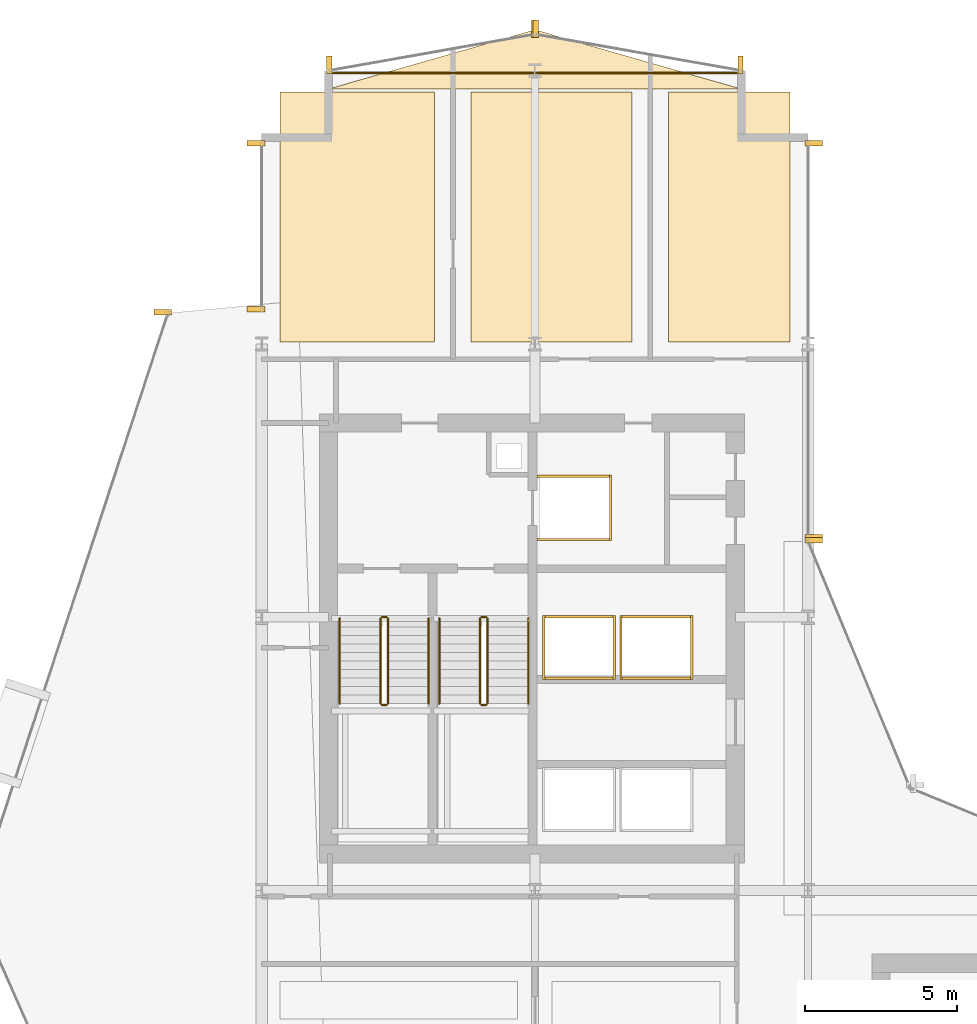
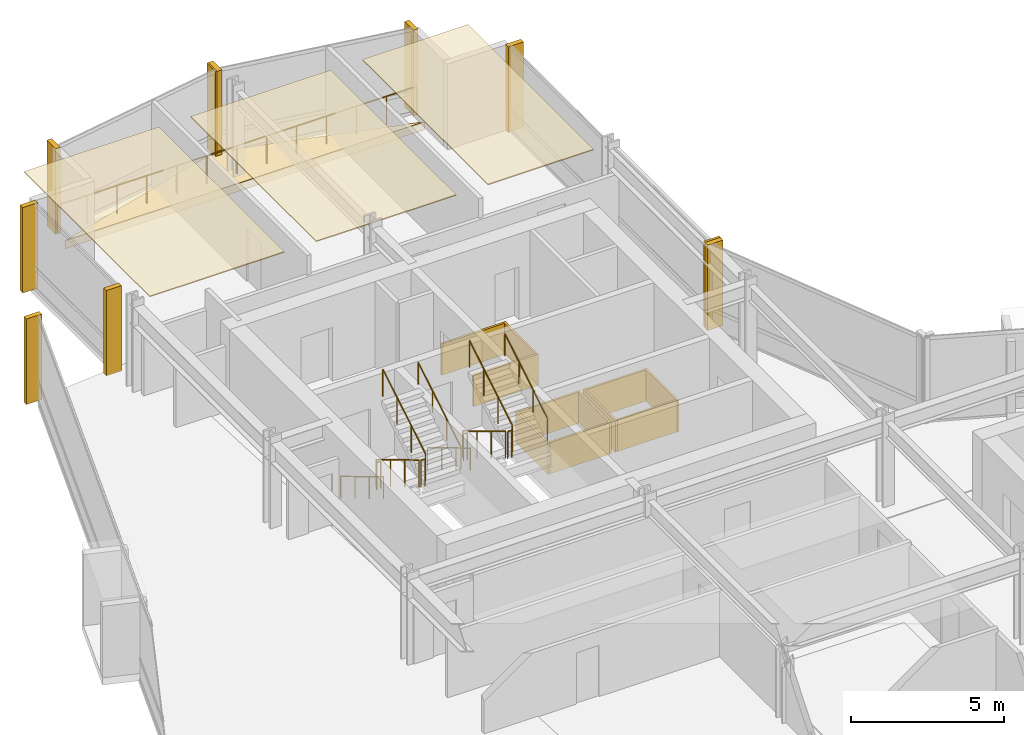
# One storey, part 33 of 34: 25 coverings, 13 railings.
"""IFC4 building model written with IfcOpenShell, lengths in metres."""

from ifc_helpers import new_model, si_unit, direction, frame, origin, origin_2d, place, context, subcontext, project, spatial, polyline, rectangle, circle, outline, extrude, material, layer, layer_set, type_object, element, save


model = new_model("IFC4")

# Units and contexts
model_context = context("Model", 3, precision=1e-05, world=origin(), true_north=direction((0.0, 1.0)))
body_context = subcontext(model_context, "Body", "Model", "MODEL_VIEW")
ifc_project = project(units=[si_unit("LENGTHUNIT", "METRE"), si_unit("AREAUNIT", "SQUARE_METRE"), si_unit("VOLUMEUNIT", "CUBIC_METRE"), si_unit("PLANEANGLEUNIT", "RADIAN"), si_unit("MASSUNIT", "GRAM", prefix="KILO")], contexts=[model_context])

# Site, building, storey
site_placement = place(None, origin())
site = spatial("IfcSite", under=ifc_project, at=site_placement, CompositionType="ELEMENT")
building_placement = place(site_placement, origin())
building = spatial("IfcBuilding", under=site, at=building_placement, Name="Solvaryn Broadcast Tower", CompositionType="ELEMENT")
storey_placement = place(building_placement, frame((0.0, 0.0, 92.800048828125)))
storey = spatial("IfcBuildingStorey", under=building, at=storey_placement, Name="L22", CompositionType="ELEMENT", Elevation=92.800048828125)

# Coverings
ifc_material_1 = material(Name="Micro-Perforated Acoustic Gypsum Ceiling", Category="concrete")
ifc_layer_1 = layer(ifc_material_1, 0.0400390625)
ifc_layer_set_1 = layer_set([ifc_layer_1], Name="CV-CEIL-ACOUSTIC")
covering_type_1 = type_object("IfcCoveringType", Name="CV-CEIL-ACOUSTIC", PredefinedType="CEILING", material=ifc_layer_set_1)
covering_1_placement = place(storey_placement, frame((0.0, 0.0, 3.3798828125)))
element("IfcCovering", 1, at=covering_1_placement, inside=storey, type_object=covering_type_1, Name="L22 Room Acoustic Ceiling 7", PredefinedType="CEILING", context=body_context, shape_type="SweptSolid", body=[
    extrude(outline(polyline([(9.60009765625, 45.070068359375), (14.699951171875, 45.070068359375), (14.699951171875, 53.300048828125), (9.60009765625, 53.300048828125), (9.60009765625, 45.070068359375)])), origin(), (0.0, 0.0, 1.0), 0.0400390625),
])
covering_2_placement = place(storey_placement, frame((0.0, 0.0, 3.3798828125)))
element("IfcCovering", 2, at=covering_2_placement, inside=storey, type_object=covering_type_1, Name="L22 Room Acoustic Ceiling 8", PredefinedType="CEILING", context=body_context, shape_type="SweptSolid", body=[
    extrude(outline(polyline([(15.89990234375, 45.070068359375), (21.199951171875, 45.070068359375), (21.199951171875, 53.300048828125), (15.89990234375, 53.300048828125), (15.89990234375, 45.070068359375)])), origin(), (0.0, 0.0, 1.0), 0.0400390625),
])
covering_3_placement = place(storey_placement, frame((0.0, 0.0, 3.3798828125)))
element("IfcCovering", 3, at=covering_3_placement, inside=storey, type_object=covering_type_1, Name="L22 Room Acoustic Ceiling 9", PredefinedType="CEILING", context=body_context, shape_type="SweptSolid", body=[
    extrude(outline(polyline([(22.39990234375, 45.070068359375), (26.39990234375, 45.070068359375), (26.39990234375, 53.300048828125), (22.39990234375, 53.300048828125), (22.39990234375, 45.070068359375)])), origin(), (0.0, 0.0, 1.0), 0.0400390625),
])
ifc_material_2 = material(Name="Fire-Rated Gypsum Shaftwall Liner", Category="concrete")
ifc_layer_2 = layer(ifc_material_2, 0.080078125)
ifc_layer_set_2 = layer_set([ifc_layer_2], Name="CV-SHAFT-LINER")
covering_type_2 = type_object("IfcCoveringType", Name="CV-SHAFT-LINER", PredefinedType="CLADDING", material=ifc_layer_set_2)
for number, where, z_axis, x_axis, name in (
    (4, (19.300048828125, 40.639892578125, 0.0), (0.0, 0.0, 1.0), (1.0, 0.0, 0.0), "L22 FL1 Hoistway Shaft Liner North"),
    (5, (19.300048828125, 38.56005859375, 0.0), (0.0, 0.0, 1.0), (1.0, 0.0, 0.0), "L22 FL1 Hoistway Shaft Liner South"),
):
    element("IfcCovering", number, at=place(storey_placement, frame(where, z_axis=z_axis, x_axis=x_axis)), inside=storey, type_object=covering_type_2, Name=name, PredefinedType="CLADDING", context=body_context, shape_type="SweptSolid", body=[
        extrude(rectangle(XDim=2.4599609375, YDim=0.080078125, at=origin_2d()), origin(), (0.0, 0.0, 1.0), 1.25),
    ])
covering_4_placement = place(storey_placement, frame((20.489990234375, 39.60009765625, 0.0), z_axis=(0.0, 0.0, 1.0), x_axis=(1.0, 0.0, 0.0)))
element("IfcCovering", 6, at=covering_4_placement, inside=storey, type_object=covering_type_2, Name="L22 FL1 Hoistway Shaft Liner East", PredefinedType="CLADDING", context=body_context, shape_type="SweptSolid", body=[
    extrude(rectangle(XDim=0.080078125, YDim=2.159912109375, at=origin_2d()), origin(), (0.0, 0.0, 1.0), 1.25),
])
for number, where, z_axis, x_axis, name in (
    (7, (19.449951171875, 36.014892578125, 0.0), (0.0, 0.0, 1.0), (1.0, 0.0, 0.0), "L22 PH3 Hoistway Shaft Liner North"),
    (8, (19.449951171875, 33.985107421875, 0.0), (0.0, 0.0, 1.0), (1.0, 0.0, 0.0), "L22 PH3 Hoistway Shaft Liner South"),
):
    element("IfcCovering", number, at=place(storey_placement, frame(where, z_axis=z_axis, x_axis=x_axis)), inside=storey, type_object=covering_type_2, Name=name, PredefinedType="CLADDING", context=body_context, shape_type="SweptSolid", body=[
        extrude(rectangle(XDim=2.409912109375, YDim=0.080078125, at=origin_2d()), origin(), (0.0, 0.0, 1.0), 1.25),
    ])
for number, where, z_axis, x_axis, name in (
    (9, (20.614990234375, 35.0, 0.0), (0.0, 0.0, 1.0), (1.0, 0.0, 0.0), "L22 PH3 Hoistway Shaft Liner East"),
    (10, (18.284912109375, 35.0, 0.0), (0.0, 0.0, 1.0), (1.0, 0.0, 0.0), "L22 PH3 Hoistway Shaft Liner West"),
):
    element("IfcCovering", number, at=place(storey_placement, frame(where, z_axis=z_axis, x_axis=x_axis)), inside=storey, type_object=covering_type_2, Name=name, PredefinedType="CLADDING", context=body_context, shape_type="SweptSolid", body=[
        extrude(rectangle(XDim=0.080078125, YDim=2.110107421875, at=origin_2d()), origin(), (0.0, 0.0, 1.0), 1.25),
    ])
for number, where, z_axis, x_axis, name in (
    (11, (22.0, 36.014892578125, 0.0), (0.0, 0.0, 1.0), (1.0, 0.0, 0.0), "L22 PH4 Hoistway Shaft Liner North"),
    (12, (22.0, 33.985107421875, 0.0), (0.0, 0.0, 1.0), (1.0, 0.0, 0.0), "L22 PH4 Hoistway Shaft Liner South"),
):
    element("IfcCovering", number, at=place(storey_placement, frame(where, z_axis=z_axis, x_axis=x_axis)), inside=storey, type_object=covering_type_2, Name=name, PredefinedType="CLADDING", context=body_context, shape_type="SweptSolid", body=[
        extrude(rectangle(XDim=2.409912109375, YDim=0.080078125, at=origin_2d()), origin(), (0.0, 0.0, 1.0), 1.25),
    ])
for number, where, z_axis, x_axis, name in (
    (13, (23.1650390625, 35.0, 0.0), (0.0, 0.0, 1.0), (1.0, 0.0, 0.0), "L22 PH4 Hoistway Shaft Liner East"),
    (14, (20.8349609375, 35.0, 0.0), (0.0, 0.0, 1.0), (1.0, 0.0, 0.0), "L22 PH4 Hoistway Shaft Liner West"),
):
    element("IfcCovering", number, at=place(storey_placement, frame(where, z_axis=z_axis, x_axis=x_axis)), inside=storey, type_object=covering_type_2, Name=name, PredefinedType="CLADDING", context=body_context, shape_type="SweptSolid", body=[
        extrude(rectangle(XDim=0.080078125, YDim=2.110107421875, at=origin_2d()), origin(), (0.0, 0.0, 1.0), 1.25),
    ])
ifc_material_3 = material(Name="Extruded Architectural Terracotta Fin", Category="masonry")
ifc_layer_3 = layer(ifc_material_3, 0.179931640625)
ifc_layer_set_3 = layer_set([ifc_layer_3], Name="CV-TC-FIN")
covering_type_3 = type_object("IfcCoveringType", Name="CV-TC-FIN", PredefinedType="USERDEFINED", material=ifc_layer_set_3)
for number, where, z_axis, x_axis, name in (
    (15, (5.735595703125, 46.043701171875, 0.0), (0.0, 0.0, 1.0), (1.0, 0.0, 0.0), "L22 Terracotta Vertical Fin FIN-L22-DR1-M00"),
    (16, (8.8125, 46.14599609375, 0.0), (0.0, 0.0, 1.0), (1.0, 0.0, 0.0), "L22 Terracotta Vertical Fin FIN-L22-W2-M00"),
    (17, (8.8125, 51.6201171875, 0.0), (0.0, 0.0, 1.0), (1.0, 0.0, 0.0), "L22 Terracotta Vertical Fin FIN-L22-W2-M01"),
    (18, (27.1875, 51.6201171875, 0.0), (0.0, 0.0, 1.0), (1.0, 0.0, 0.0), "L22 Terracotta Vertical Fin FIN-L22-IV-M00"),
    (19, (27.1875, 38.6298828125, 0.0), (0.0, 0.0, 1.0), (1.0, 0.0, 0.0), "L22 Terracotta Vertical Fin FIN-L22-IV-M01"),
    (20, (27.177978515625, 38.541259765625, 0.0), (0.0, 0.0, 1.0), (1.0, 0.0, 0.0), "L22 Terracotta Vertical Fin FIN-L22-CN2-M01"),
):
    element("IfcCovering", number, at=place(storey_placement, frame(where, z_axis=z_axis, x_axis=x_axis)), inside=storey, type_object=covering_type_3, Name=name, ObjectType="FIN", PredefinedType="USERDEFINED", context=body_context, shape_type="SweptSolid", body=[
        extrude(rectangle(XDim=0.580078125, YDim=0.179931640625, at=origin_2d()), origin(), (0.0, 0.0, 1.0), 3.419921875),
    ])
for number, where, z_axis, x_axis, name in (
    (21, (24.7705078125, 54.192626953125, 0.0), (0.0, 0.0, 1.0), (1.0, 0.0, 0.0), "L22 Terracotta Vertical Fin FIN-L22-NT1-M00"),
    (22, (18.029541015625, 55.38232421875, 0.0), (0.0, 0.0, 1.0), (1.0, 0.0, 0.0), "L22 Terracotta Vertical Fin FIN-L22-NT1-M01"),
    (23, (17.970458984375, 55.38232421875, 0.0), (0.0, 0.0, 1.0), (1.0, 0.0, 0.0), "L22 Terracotta Vertical Fin FIN-L22-NT2-M00"),
    (24, (11.2294921875, 54.192626953125, 0.0), (0.0, 0.0, 1.0), (1.0, 0.0, 0.0), "L22 Terracotta Vertical Fin FIN-L22-NT2-M01"),
):
    element("IfcCovering", number, at=place(storey_placement, frame(where, z_axis=z_axis, x_axis=x_axis)), inside=storey, type_object=covering_type_3, Name=name, ObjectType="FIN", PredefinedType="USERDEFINED", context=body_context, shape_type="SweptSolid", body=[
        extrude(rectangle(XDim=0.179931640625, YDim=0.580078125, at=origin_2d()), origin(), (0.0, 0.0, 1.0), 3.419921875),
    ])
ifc_material_4 = material(Name="Sculpted Architectural Terracotta Wave Fascia", Category="masonry")
ifc_layer_4 = layer(ifc_material_4, 0.340087890625)
ifc_layer_set_4 = layer_set([ifc_layer_4], Name="CV-WAVE-TRAY")
covering_type_4 = type_object("IfcCoveringType", Name="CV-WAVE-TRAY", PredefinedType="CLADDING", material=ifc_layer_set_4)
covering_5_placement = place(storey_placement, frame((0.0, 0.0, -0.300048828125)))
element("IfcCovering", 25, at=covering_5_placement, inside=storey, type_object=covering_type_4, Name="L22 North Curved Wing Deck", PredefinedType="CLADDING", context=body_context, shape_type="SweptSolid", body=[
    extrude(outline(polyline([(11.199951171875, 53.39990234375), (24.800048828125, 53.39990234375), (18.0, 55.35009765625), (11.199951171875, 53.39990234375)])), origin(), (0.0, 0.0, 1.0), 0.330078125),
])

# Railings
ifc_material_5 = material(Name="Painted Steel Stair Well Guard", Category="steel")
railing_type_1 = type_object("IfcRailingType", Name="RL-STAIR-GUARD", PredefinedType="BALUSTRADE", material=ifc_material_5)
railing_1_placement = place(storey_placement, frame((12.909912109375, 35.9599609375, 0.168212890625)))
element("IfcRailing", 26, at=railing_1_placement, inside=storey, type_object=railing_type_1, Name="L22 ST1 stair guard 1", PredefinedType="BALUSTRADE", context=body_context, shape_type="SweptSolid", body=[
    extrude(circle(Radius=0.02392578125, at=origin_2d()), frame((0.0, 0.0, 1.076171875), z_axis=(0.0, -0.857275202839, 0.514858452973), x_axis=(1.0, 0.0, 0.0)), (0.0, 0.0, 1.0), 3.26611328125),
    extrude(circle(Radius=0.02099609375, at=origin_2d()), origin(), (0.0, 0.0, 1.0), 1.052001953125),
    extrude(circle(Radius=0.02099609375, at=origin_2d()), frame((0.0, -0.933349609375, 0.560546875)), (0.0, 0.0, 1.0), 1.052001953125),
    extrude(circle(Radius=0.02099609375, at=origin_2d()), frame((0.0, -1.86669921875, 1.12109375)), (0.0, 0.0, 1.0), 1.052001953125),
    extrude(circle(Radius=0.02099609375, at=origin_2d()), frame((0.0, -2.800048828125, 1.681640625)), (0.0, 0.0, 1.0), 1.052001953125),
])
railing_2_placement = place(storey_placement, frame((12.9599609375, 33.110107421875, 1.849853515625)))
element("IfcRailing", 27, at=railing_2_placement, inside=storey, type_object=railing_type_1, Name="L22 ST1 stair guard 2", PredefinedType="BALUSTRADE", context=body_context, shape_type="SweptSolid", body=[
    extrude(circle(Radius=0.02392578125, at=origin_2d()), frame((0.0, 0.0, 1.076171875), z_axis=(1.0, 0.0, 0.0), x_axis=(0.0, 1.0, 0.0)), (0.0, 0.0, 1.0), 0.150146484375),
    extrude(circle(Radius=0.02099609375, at=origin_2d()), origin(), (0.0, 0.0, 1.0), 1.052001953125),
    extrude(circle(Radius=0.02099609375, at=origin_2d()), frame((0.150146484375, 0.0, 0.0)), (0.0, 0.0, 1.0), 1.052001953125),
])
railing_3_placement = place(storey_placement, frame((13.159912109375, 33.159912109375, 2.01806640625)))
element("IfcRailing", 28, at=railing_3_placement, inside=storey, type_object=railing_type_1, Name="L22 ST1 stair guard 3", PredefinedType="BALUSTRADE", context=body_context, shape_type="SweptSolid", body=[
    extrude(circle(Radius=0.02392578125, at=origin_2d()), frame((0.0, 0.0, 1.076171875), z_axis=(0.0, 0.857242210791, 0.514913383045), x_axis=(-1.0, 0.0, 0.0)), (0.0, 0.0, 1.0), 3.266357421875),
    extrude(circle(Radius=0.02099609375, at=origin_2d()), origin(), (0.0, 0.0, 1.0), 1.052001953125),
    extrude(circle(Radius=0.02099609375, at=origin_2d()), frame((0.0, 0.933349609375, 0.560546875)), (0.0, 0.0, 1.0), 1.052001953125),
    extrude(circle(Radius=0.02099609375, at=origin_2d()), frame((0.0, 1.86669921875, 1.121337890625)), (0.0, 0.0, 1.0), 1.052001953125),
    extrude(circle(Radius=0.02099609375, at=origin_2d()), frame((0.0, 2.800048828125, 1.681884765625)), (0.0, 0.0, 1.0), 1.052001953125),
])
railing_4_placement = place(storey_placement, frame((12.9599609375, 36.010009765625, 0.0)))
element("IfcRailing", 29, at=railing_4_placement, inside=storey, type_object=railing_type_1, Name="L22 ST1 stair guard 4", PredefinedType="BALUSTRADE", context=body_context, shape_type="SweptSolid", body=[
    extrude(circle(Radius=0.02392578125, at=origin_2d()), frame((0.0, 0.0, 1.076171875), z_axis=(1.0, 0.0, 0.0), x_axis=(0.0, 1.0, 0.0)), (0.0, 0.0, 1.0), 0.150146484375),
    extrude(circle(Radius=0.02099609375, at=origin_2d()), origin(), (0.0, 0.0, 1.0), 1.052001953125),
    extrude(circle(Radius=0.02099609375, at=origin_2d()), frame((0.150146484375, 0.0, 0.0)), (0.0, 0.0, 1.0), 1.052001953125),
])
railing_5_placement = place(storey_placement, frame((16.18994140625, 35.9599609375, 0.168212890625)))
element("IfcRailing", 30, at=railing_5_placement, inside=storey, type_object=railing_type_1, Name="L22 ST2 stair guard 1", PredefinedType="BALUSTRADE", context=body_context, shape_type="SweptSolid", body=[
    extrude(circle(Radius=0.02392578125, at=origin_2d()), frame((0.0, 0.0, 1.076171875), z_axis=(0.0, -0.857275202839, 0.514858452973), x_axis=(1.0, 0.0, 0.0)), (0.0, 0.0, 1.0), 3.26611328125),
    extrude(circle(Radius=0.02099609375, at=origin_2d()), origin(), (0.0, 0.0, 1.0), 1.052001953125),
    extrude(circle(Radius=0.02099609375, at=origin_2d()), frame((0.0, -0.933349609375, 0.560546875)), (0.0, 0.0, 1.0), 1.052001953125),
    extrude(circle(Radius=0.02099609375, at=origin_2d()), frame((0.0, -1.86669921875, 1.12109375)), (0.0, 0.0, 1.0), 1.052001953125),
    extrude(circle(Radius=0.02099609375, at=origin_2d()), frame((0.0, -2.800048828125, 1.681640625)), (0.0, 0.0, 1.0), 1.052001953125),
])
railing_6_placement = place(storey_placement, frame((16.239990234375, 33.110107421875, 1.849853515625)))
element("IfcRailing", 31, at=railing_6_placement, inside=storey, type_object=railing_type_1, Name="L22 ST2 stair guard 2", PredefinedType="BALUSTRADE", context=body_context, shape_type="SweptSolid", body=[
    extrude(circle(Radius=0.02392578125, at=origin_2d()), frame((0.0, 0.0, 1.076171875), z_axis=(1.0, 0.0, 0.0), x_axis=(0.0, 1.0, 0.0)), (0.0, 0.0, 1.0), 0.14990234375),
    extrude(circle(Radius=0.02099609375, at=origin_2d()), origin(), (0.0, 0.0, 1.0), 1.052001953125),
    extrude(circle(Radius=0.02099609375, at=origin_2d()), frame((0.14990234375, 0.0, 0.0)), (0.0, 0.0, 1.0), 1.052001953125),
])
railing_7_placement = place(storey_placement, frame((16.43994140625, 33.159912109375, 2.01806640625)))
element("IfcRailing", 32, at=railing_7_placement, inside=storey, type_object=railing_type_1, Name="L22 ST2 stair guard 3", PredefinedType="BALUSTRADE", context=body_context, shape_type="SweptSolid", body=[
    extrude(circle(Radius=0.02392578125, at=origin_2d()), frame((0.0, 0.0, 1.076171875), z_axis=(0.0, 0.857242210791, 0.514913383045), x_axis=(-1.0, 0.0, 0.0)), (0.0, 0.0, 1.0), 3.266357421875),
    extrude(circle(Radius=0.02099609375, at=origin_2d()), origin(), (0.0, 0.0, 1.0), 1.052001953125),
    extrude(circle(Radius=0.02099609375, at=origin_2d()), frame((0.0, 0.933349609375, 0.560546875)), (0.0, 0.0, 1.0), 1.052001953125),
    extrude(circle(Radius=0.02099609375, at=origin_2d()), frame((0.0, 1.86669921875, 1.121337890625)), (0.0, 0.0, 1.0), 1.052001953125),
    extrude(circle(Radius=0.02099609375, at=origin_2d()), frame((0.0, 2.800048828125, 1.681884765625)), (0.0, 0.0, 1.0), 1.052001953125),
])
railing_8_placement = place(storey_placement, frame((16.239990234375, 36.010009765625, 0.0)))
element("IfcRailing", 33, at=railing_8_placement, inside=storey, type_object=railing_type_1, Name="L22 ST2 stair guard 4", PredefinedType="BALUSTRADE", context=body_context, shape_type="SweptSolid", body=[
    extrude(circle(Radius=0.02392578125, at=origin_2d()), frame((0.0, 0.0, 1.076171875), z_axis=(1.0, 0.0, 0.0), x_axis=(0.0, 1.0, 0.0)), (0.0, 0.0, 1.0), 0.14990234375),
    extrude(circle(Radius=0.02099609375, at=origin_2d()), origin(), (0.0, 0.0, 1.0), 1.052001953125),
    extrude(circle(Radius=0.02099609375, at=origin_2d()), frame((0.14990234375, 0.0, 0.0)), (0.0, 0.0, 1.0), 1.052001953125),
])
ifc_material_6 = material(Name="Brushed Stainless Steel Tubular Handrail", Category="steel")
railing_type_2 = type_object("IfcRailingType", Name="RL-STAIR-HANDRAIL", PredefinedType="HANDRAIL", material=ifc_material_6)
railing_9_placement = place(storey_placement, frame((11.570068359375, 35.9599609375, 0.168212890625)))
element("IfcRailing", 34, at=railing_9_placement, inside=storey, type_object=railing_type_2, Name="L22 ST1 stair handrail 1", PredefinedType="HANDRAIL", context=body_context, shape_type="SweptSolid", body=[
    extrude(circle(Radius=0.02392578125, at=origin_2d()), frame((0.0, 0.0, 0.8759765625), z_axis=(0.0, -0.857275202839, 0.514858452973), x_axis=(1.0, 0.0, 0.0)), (0.0, 0.0, 1.0), 3.26611328125),
    extrude(circle(Radius=0.02099609375, at=origin_2d()), origin(), (0.0, 0.0, 1.0), 0.851806640625),
    extrude(circle(Radius=0.02099609375, at=origin_2d()), frame((0.0, -0.933349609375, 0.560546875)), (0.0, 0.0, 1.0), 0.851806640625),
    extrude(circle(Radius=0.02099609375, at=origin_2d()), frame((0.0, -1.86669921875, 1.12109375)), (0.0, 0.0, 1.0), 0.851806640625),
    extrude(circle(Radius=0.02099609375, at=origin_2d()), frame((0.0, -2.800048828125, 1.681640625)), (0.0, 0.0, 1.0), 0.851806640625),
])
railing_10_placement = place(storey_placement, frame((14.5, 33.159912109375, 2.01806640625)))
element("IfcRailing", 35, at=railing_10_placement, inside=storey, type_object=railing_type_2, Name="L22 ST1 stair handrail 2", PredefinedType="HANDRAIL", context=body_context, shape_type="SweptSolid", body=[
    extrude(circle(Radius=0.02392578125, at=origin_2d()), frame((0.0, 0.0, 0.8759765625), z_axis=(0.0, 0.857242210791, 0.514913383045), x_axis=(-1.0, 0.0, 0.0)), (0.0, 0.0, 1.0), 3.266357421875),
    extrude(circle(Radius=0.02099609375, at=origin_2d()), origin(), (0.0, 0.0, 1.0), 0.851806640625),
    extrude(circle(Radius=0.02099609375, at=origin_2d()), frame((0.0, 0.933349609375, 0.560546875)), (0.0, 0.0, 1.0), 0.851806640625),
    extrude(circle(Radius=0.02099609375, at=origin_2d()), frame((0.0, 1.86669921875, 1.121337890625)), (0.0, 0.0, 1.0), 0.851806640625),
    extrude(circle(Radius=0.02099609375, at=origin_2d()), frame((0.0, 2.800048828125, 1.681884765625)), (0.0, 0.0, 1.0), 0.851806640625),
])
railing_11_placement = place(storey_placement, frame((14.85009765625, 35.9599609375, 0.168212890625)))
element("IfcRailing", 36, at=railing_11_placement, inside=storey, type_object=railing_type_2, Name="L22 ST2 stair handrail 1", PredefinedType="HANDRAIL", context=body_context, shape_type="SweptSolid", body=[
    extrude(circle(Radius=0.02392578125, at=origin_2d()), frame((0.0, 0.0, 0.8759765625), z_axis=(0.0, -0.857275202839, 0.514858452973), x_axis=(1.0, 0.0, 0.0)), (0.0, 0.0, 1.0), 3.26611328125),
    extrude(circle(Radius=0.02099609375, at=origin_2d()), origin(), (0.0, 0.0, 1.0), 0.851806640625),
    extrude(circle(Radius=0.02099609375, at=origin_2d()), frame((0.0, -0.933349609375, 0.560546875)), (0.0, 0.0, 1.0), 0.851806640625),
    extrude(circle(Radius=0.02099609375, at=origin_2d()), frame((0.0, -1.86669921875, 1.12109375)), (0.0, 0.0, 1.0), 0.851806640625),
    extrude(circle(Radius=0.02099609375, at=origin_2d()), frame((0.0, -2.800048828125, 1.681640625)), (0.0, 0.0, 1.0), 0.851806640625),
])
railing_12_placement = place(storey_placement, frame((17.780029296875, 33.159912109375, 2.01806640625)))
element("IfcRailing", 37, at=railing_12_placement, inside=storey, type_object=railing_type_2, Name="L22 ST2 stair handrail 2", PredefinedType="HANDRAIL", context=body_context, shape_type="SweptSolid", body=[
    extrude(circle(Radius=0.02392578125, at=origin_2d()), frame((0.0, 0.0, 0.8759765625), z_axis=(0.0, 0.857242210791, 0.514913383045), x_axis=(-1.0, 0.0, 0.0)), (0.0, 0.0, 1.0), 3.266357421875),
    extrude(circle(Radius=0.02099609375, at=origin_2d()), origin(), (0.0, 0.0, 1.0), 0.851806640625),
    extrude(circle(Radius=0.02099609375, at=origin_2d()), frame((0.0, 0.933349609375, 0.560546875)), (0.0, 0.0, 1.0), 0.851806640625),
    extrude(circle(Radius=0.02099609375, at=origin_2d()), frame((0.0, 1.86669921875, 1.121337890625)), (0.0, 0.0, 1.0), 0.851806640625),
    extrude(circle(Radius=0.02099609375, at=origin_2d()), frame((0.0, 2.800048828125, 1.681884765625)), (0.0, 0.0, 1.0), 0.851806640625),
])
ifc_material_7 = material(Name="Stainless Steel and Laminated Glass Guard", Category="steel")
railing_type_3 = type_object("IfcRailingType", Name="RL-TER-1150", PredefinedType="BALUSTRADE", material=ifc_material_7)
railing_13_placement = place(storey_placement, frame((11.199951171875, 53.919921875, 0.0)))
element("IfcRailing", 38, at=railing_13_placement, inside=storey, type_object=railing_type_3, Name="L22 North Wing Spandrel Edge Guard", PredefinedType="BALUSTRADE", context=body_context, shape_type="SweptSolid", body=[
    extrude(circle(Radius=0.02392578125, at=origin_2d()), frame((0.0, 0.0, 1.1259765625), z_axis=(1.0, 0.0, 0.0), x_axis=(0.0, 1.0, 0.0)), (0.0, 0.0, 1.0), 13.60009765625),
    extrude(circle(Radius=0.02099609375, at=origin_2d()), origin(), (0.0, 0.0, 1.0), 1.101806640625),
    extrude(circle(Radius=0.02099609375, at=origin_2d()), frame((1.13330078125, 0.0, 0.0)), (0.0, 0.0, 1.0), 1.101806640625),
    extrude(circle(Radius=0.02099609375, at=origin_2d()), frame((2.2666015625, 0.0, 0.0)), (0.0, 0.0, 1.0), 1.101806640625),
    extrude(circle(Radius=0.02099609375, at=origin_2d()), frame((3.39990234375, 0.0, 0.0)), (0.0, 0.0, 1.0), 1.101806640625),
    extrude(circle(Radius=0.02099609375, at=origin_2d()), frame((4.533447265625, 0.0, 0.0)), (0.0, 0.0, 1.0), 1.101806640625),
    extrude(circle(Radius=0.02099609375, at=origin_2d()), frame((5.666748046875, 0.0, 0.0)), (0.0, 0.0, 1.0), 1.101806640625),
    extrude(circle(Radius=0.02099609375, at=origin_2d()), frame((6.800048828125, 0.0, 0.0)), (0.0, 0.0, 1.0), 1.101806640625),
    extrude(circle(Radius=0.02099609375, at=origin_2d()), frame((7.933349609375, 0.0, 0.0)), (0.0, 0.0, 1.0), 1.101806640625),
    extrude(circle(Radius=0.02099609375, at=origin_2d()), frame((9.066650390625, 0.0, 0.0)), (0.0, 0.0, 1.0), 1.101806640625),
    extrude(circle(Radius=0.02099609375, at=origin_2d()), frame((10.2001953125, 0.0, 0.0)), (0.0, 0.0, 1.0), 1.101806640625),
    extrude(circle(Radius=0.02099609375, at=origin_2d()), frame((11.33349609375, 0.0, 0.0)), (0.0, 0.0, 1.0), 1.101806640625),
    extrude(circle(Radius=0.02099609375, at=origin_2d()), frame((12.466796875, 0.0, 0.0)), (0.0, 0.0, 1.0), 1.101806640625),
    extrude(circle(Radius=0.02099609375, at=origin_2d()), frame((13.60009765625, 0.0, 0.0)), (0.0, 0.0, 1.0), 1.101806640625),
])

save(model, "model.ifc")
